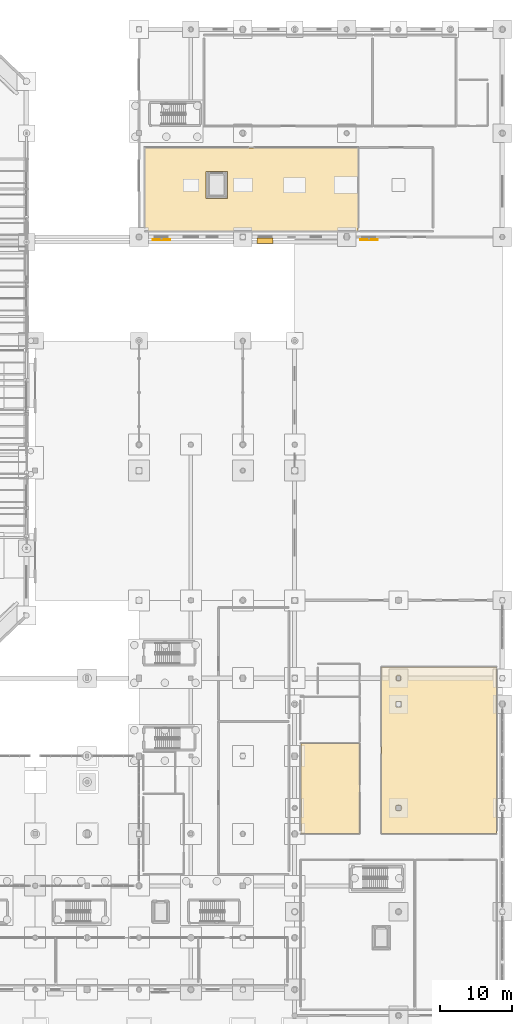
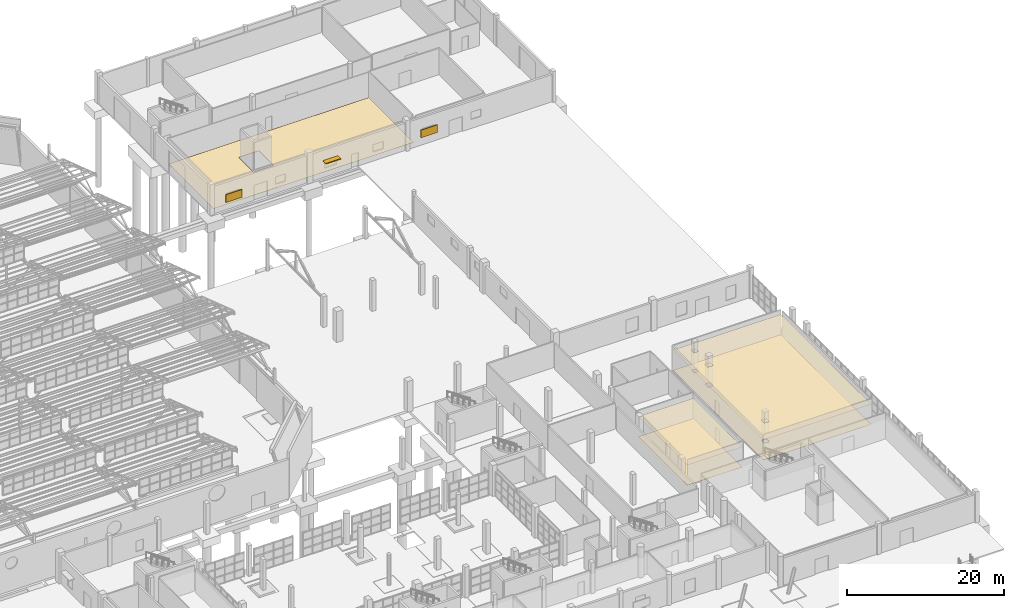
# One storey, part 282 of 285: 5 coverings, 3 shading devices.
"""IFC4 building model written with IfcOpenShell, lengths in metres."""

from ifc_helpers import new_model, si_unit, direction, frame, origin, origin_2d, place, context, subcontext, project, spatial, polyline, rectangle, outline, extrude, material, layer, layer_set, type_object, element, save


model = new_model("IFC4")

# Units and contexts
model_context = context("Model", 3, precision=1e-05, world=origin(), true_north=direction((0.0, 1.0)))
body_context = subcontext(model_context, "Body", "Model", "MODEL_VIEW")
ifc_project = project(units=[si_unit("LENGTHUNIT", "METRE"), si_unit("AREAUNIT", "SQUARE_METRE"), si_unit("VOLUMEUNIT", "CUBIC_METRE"), si_unit("PLANEANGLEUNIT", "RADIAN"), si_unit("MASSUNIT", "GRAM", prefix="KILO")], contexts=[model_context])

# Site, building, storey
site_placement = place(None, origin())
site = spatial("IfcSite", under=ifc_project, at=site_placement, CompositionType="ELEMENT")
building_placement = place(site_placement, origin())
building = spatial("IfcBuilding", under=site, at=building_placement, Name="Solanera Park Tramway Depot", CompositionType="ELEMENT")
storey_placement = place(building_placement, origin())
storey = spatial("IfcBuildingStorey", under=building, at=storey_placement, Name="L00", CompositionType="ELEMENT", Elevation=0.0)

# Coverings
ifc_material_1 = material(Name="Acoustic perforated plasterboard and mineral-fibre ceiling")
ifc_layer_1 = layer(ifc_material_1, 0.02001953125)
ifc_layer_set_1 = layer_set([ifc_layer_1], Name="Acoustic perforated plasterboard and mineral-fibre ceiling")
covering_type_1 = type_object("IfcCoveringType", Name="Acoustic Mineral-Fibre Ceiling 20", PredefinedType="CEILING", material=ifc_layer_set_1)
covering_1_placement = place(storey_placement, frame((0.0, 0.0, 3.14990234375)))
element("IfcCovering", 1, at=covering_1_placement, inside=storey, type_object=covering_type_1, Name="Parkfront Loggia Cafe and Dining Room Acoustic Ceiling", PredefinedType="CEILING", context=body_context, shape_type="SweptSolid", body=[
    extrude(outline(polyline([(215.159912109375, 55.56005859375), (215.159912109375, 32.43994140625), (199.239990234375, 32.43994140625), (199.239990234375, 55.56005859375), (215.159912109375, 55.56005859375)]), holes=[polyline([(201.2470703125, 36.35302734375), (201.2470703125, 35.64697265625), (201.952880859375, 35.64697265625), (201.952880859375, 36.35302734375), (201.2470703125, 36.35302734375)]), polyline([(201.97802734375, 50.778076171875), (201.221923828125, 50.778076171875), (201.221923828125, 50.02197265625), (201.97802734375, 50.02197265625), (201.97802734375, 50.778076171875)]), polyline([(201.903076171875, 53.697021484375), (201.903076171875, 54.302978515625), (201.297119140625, 54.302978515625), (201.297119140625, 53.697021484375), (201.903076171875, 53.697021484375)])]), origin(), (0.0, 0.0, 1.0), 0.02001953125),
])
covering_2_placement = place(storey_placement, frame((0.0, 0.0, 3.14990234375)))
element("IfcCovering", 2, at=covering_2_placement, inside=storey, type_object=covering_type_1, Name="Commercial Catering Kitchen and Scullery Acoustic Ceiling", PredefinedType="CEILING", context=body_context, shape_type="SweptSolid", body=[
    extrude(outline(polyline([(196.159912109375, 32.43994140625), (188.0400390625, 32.43994140625), (188.0400390625, 44.9599609375), (196.159912109375, 44.9599609375), (196.159912109375, 32.43994140625)])), origin(), (0.0, 0.0, 1.0), 0.02001953125),
])
ifc_material_2 = material(Name="Heavy-duty slip-resistant epoxy resin screed")
ifc_layer_2 = layer(ifc_material_2, 0.011962890625)
ifc_layer_set_2 = layer_set([ifc_layer_2], Name="Heavy-duty slip-resistant epoxy resin screed")
covering_type_2 = type_object("IfcCoveringType", Name="Epoxy Industrial Workshop Flooring 12", PredefinedType="FLOORING", material=ifc_layer_set_2)
covering_3_placement = place(storey_placement, origin())
element("IfcCovering", 3, at=covering_3_placement, inside=storey, type_object=covering_type_2, Name="Automated Drive-Through Tram Wash Bay Floor Finish", PredefinedType="FLOORING", context=body_context, shape_type="SweptSolid", body=[
    extrude(outline(polyline([(166.43994140625, 116.0400390625), (166.43994140625, 127.56005859375), (195.9599609375, 127.56005859375), (195.9599609375, 116.0400390625), (166.43994140625, 116.0400390625)]), holes=[polyline([(177.889892578125, 124.2900390625), (174.909912109375, 124.2900390625), (174.909912109375, 120.510009765625), (177.889892578125, 120.510009765625), (177.889892578125, 124.2900390625)])]), origin(), (0.0, 0.0, 1.0), 0.011962890625),
])

# Shading device
ifc_material_3 = material(Name="Extruded terracotta brise-soleil hood", Category="masonry")
shading_device_type_1 = type_object("IfcShadingDeviceType", Name="Terracotta Brise-Soleil Sunshade Hood 2200x750", PredefinedType="USERDEFINED", material=ifc_material_3)
shading_device_placement = place(storey_placement, frame((183.10009765625, 114.675048828125, 2.550048828125), z_axis=(0.0, 0.0, 1.0), x_axis=(1.0, 0.0, 0.0)))
element("IfcShadingDevice", 4, at=shading_device_placement, inside=storey, type_object=shading_device_type_1, Name="Terracotta Brise-Soleil Sunshade #011", ObjectType="SUNSHADE", PredefinedType="USERDEFINED", context=body_context, shape_type="SweptSolid", body=[
    extrude(rectangle(XDim=2.199951171875, YDim=0.75, at=origin_2d()), origin(), (0.0, 0.0, 1.0), 0.1201171875),
])

# Coverings
ifc_material_4 = material(Name="Vitrified terracotta quarry floor tile", Category="masonry")
ifc_layer_3 = layer(ifc_material_4, 0.01806640625)
ifc_layer_set_3 = layer_set([ifc_layer_3], Name="Vitrified terracotta quarry floor tile")
covering_type_3 = type_object("IfcCoveringType", Name="Terracotta Quarry Tile Flooring 18", PredefinedType="FLOORING", material=ifc_layer_set_3)
covering_4_placement = place(storey_placement, origin())
element("IfcCovering", 5, at=covering_4_placement, inside=storey, type_object=covering_type_3, Name="Parkfront Loggia Cafe and Dining Room Floor Finish", PredefinedType="FLOORING", context=body_context, shape_type="SweptSolid", body=[
    extrude(outline(polyline([(215.159912109375, 55.56005859375), (215.159912109375, 32.43994140625), (199.239990234375, 32.43994140625), (199.239990234375, 55.56005859375), (215.159912109375, 55.56005859375)]), holes=[polyline([(201.2451171875, 36.35498046875), (201.2451171875, 35.64501953125), (201.955078125, 35.64501953125), (201.955078125, 36.35498046875), (201.2451171875, 36.35498046875)]), polyline([(201.97998046875, 50.780029296875), (201.219970703125, 50.780029296875), (201.219970703125, 50.02001953125), (201.97998046875, 50.02001953125), (201.97998046875, 50.780029296875)]), polyline([(201.905029296875, 53.695068359375), (201.905029296875, 54.304931640625), (201.294921875, 54.304931640625), (201.294921875, 53.695068359375), (201.905029296875, 53.695068359375)])]), origin(), (0.0, 0.0, 1.0), 0.01806640625),
])
covering_5_placement = place(storey_placement, origin())
element("IfcCovering", 6, at=covering_5_placement, inside=storey, type_object=covering_type_3, Name="Commercial Catering Kitchen and Scullery Floor Finish", PredefinedType="FLOORING", context=body_context, shape_type="SweptSolid", body=[
    extrude(outline(polyline([(196.159912109375, 32.43994140625), (188.0400390625, 32.43994140625), (188.0400390625, 44.9599609375), (196.159912109375, 44.9599609375), (196.159912109375, 32.43994140625)])), origin(), (0.0, 0.0, 1.0), 0.01806640625),
])

# Shading devices
ifc_material_5 = material(Name="Powder-coated aluminium aerofoil louvre", Category="aluminium")
shading_device_type_2 = type_object("IfcShadingDeviceType", Name="Timber-Look Aluminium Jalousie Louvre 2400x1200", PredefinedType="JALOUSIE", material=ifc_material_5)
for number, where, z_axis, x_axis, name in (
    (7, (168.699951171875, 114.81005859375, 1.375), (0.0, 0.0, 1.0), (1.0, 0.0, 0.0), "Jalousie Louvre Screen #010"),
    (8, (197.5, 114.81005859375, 1.375), (0.0, 0.0, 1.0), (1.0, 0.0, 0.0), "Jalousie Louvre Screen #012"),
):
    element("IfcShadingDevice", number, at=place(storey_placement, frame(where, z_axis=z_axis, x_axis=x_axis)), inside=storey, type_object=shading_device_type_2, Name=name, PredefinedType="JALOUSIE", context=body_context, shape_type="SweptSolid", body=[
        extrude(rectangle(XDim=2.39990234375, YDim=0.1201171875, at=origin_2d()), origin(), (0.0, 0.0, 1.0), 1.199951171875),
    ])

save(model, "model.ifc")
